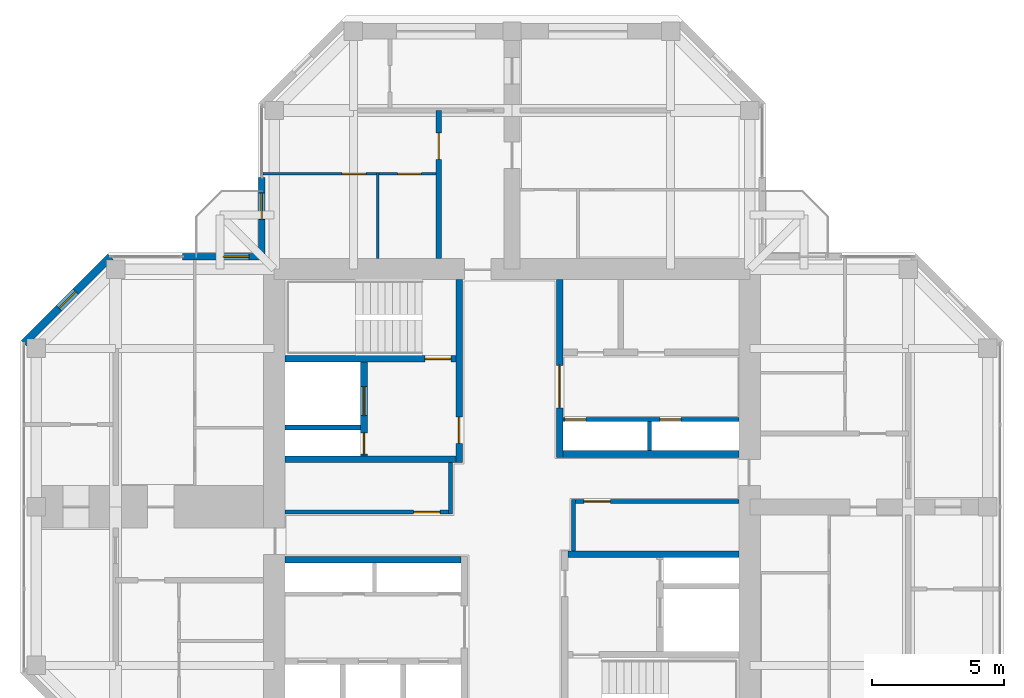
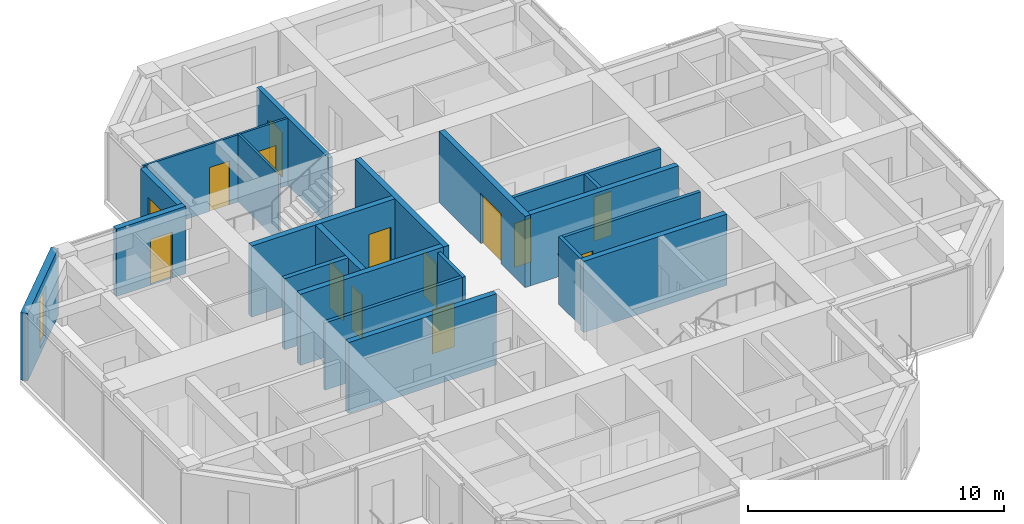
# One storey, part 10 of 13: 21 walls, 14 doors, 1 window, 15 openings.
"""IFC4 building model written with IfcOpenShell, lengths in metres."""

from ifc_helpers import new_model, si_unit, direction, frame, frame_2d, origin, place, context, subcontext, project, spatial, rectangle, hollow_rectangle, extrude, material, layer, layer_set, constituent, constituent_set, type_object, element, fill, save


model = new_model("IFC4")

# Units and contexts
model_context = context("Model", 3, precision=1e-05, world=origin(), true_north=direction((0.0, 1.0)))
body_context = subcontext(model_context, "Body", "Model", "MODEL_VIEW")
ifc_project = project(units=[si_unit("LENGTHUNIT", "METRE"), si_unit("AREAUNIT", "SQUARE_METRE"), si_unit("VOLUMEUNIT", "CUBIC_METRE"), si_unit("PLANEANGLEUNIT", "RADIAN"), si_unit("MASSUNIT", "GRAM", prefix="KILO")], contexts=[model_context])

# Site, building, storey
site_placement = place(None, origin())
site = spatial("IfcSite", under=ifc_project, at=site_placement, CompositionType="ELEMENT")
building_placement = place(site_placement, origin())
building = spatial("IfcBuilding", under=site, at=building_placement, Name="Torre Cruceta", CompositionType="ELEMENT")
storey_placement = place(building_placement, frame((0.0, 0.0, 264.5)))
storey = spatial("IfcBuildingStorey", under=building, at=storey_placement, Name="L68", CompositionType="ELEMENT", Elevation=264.5)

# Wall
ifc_material_1 = material(Name="Water-resistant plasterboard on steel studs", Category="steel")
ifc_layer_1 = layer(ifc_material_1, 0.10009765625)
ifc_layer_set_1 = layer_set([ifc_layer_1], Name="Water-resistant plasterboard on steel studs")
wall_type_1 = type_object("IfcWallType", Name="BATHROOM WALL 100", PredefinedType="PARTITIONING", material=ifc_layer_set_1)
wall_1_placement = place(storey_placement, frame((-5.074951171875, 9.39990234375, 0.0), z_axis=(0.0, 0.0, 1.0), x_axis=(0.0, 1.0, 0.0)))
element("IfcWall", 1, at=wall_1_placement, inside=storey, type_object=wall_type_1, Name="PT4 L68-N-U1LBB", PredefinedType="PARTITIONING", context=body_context, shape_type="SweptSolid", body=[
    extrude(rectangle(XDim=3.25, YDim=0.10009765625, at=frame_2d((1.625, 0.0))), origin(), (0.0, 0.0, 1.0), 3.219970703125),
])

# Wall, openings, doors
wall_2_placement = place(storey_placement, frame((-2.875, 12.60009765625, 0.0), z_axis=(0.0, 0.0, 1.0), x_axis=(-1.0, 0.0, 0.0)))
wall_2 = element("IfcWall", 2, at=wall_2_placement, inside=storey, type_object=wall_type_1, Name="PT4 L68-N-U1LBS", PredefinedType="PARTITIONING", context=body_context, shape_type="SweptSolid", body=[
    extrude(rectangle(XDim=6.554931640625, YDim=0.10009765625, at=frame_2d((3.27734375, 0.0))), origin(), (0.0, 0.0, 1.0), 3.219970703125),
])
opening_1_placement = place(wall_2_placement, frame((0.550048828125, 0.0, 0.0)))
opening_1 = element("IfcOpeningElement", 3, at=opening_1_placement, cuts=wall_2, Name="Opening D7", PredefinedType="OPENING", context=body_context, shape_type="SweptSolid", body=[
    extrude(rectangle(XDim=0.89990234375, YDim=2.10009765625, at=frame_2d((0.449951171875, 1.050048828125))), frame((0.0, 0.06005859375, 0.0), z_axis=(0.0, -1.0, 0.0), x_axis=(1.0, 0.0, 0.0)), (0.0, 0.0, 1.0), 0.1201171875),
])
opening_2_placement = place(wall_2_placement, frame((2.64990234375, 0.0, 0.0)))
opening_2 = element("IfcOpeningElement", 4, at=opening_2_placement, cuts=wall_2, Name="Opening D7", PredefinedType="OPENING", context=body_context, shape_type="SweptSolid", body=[
    extrude(rectangle(XDim=0.89990234375, YDim=2.10009765625, at=frame_2d((0.449951171875, 1.050048828125))), frame((0.0, 0.06005859375, 0.0), z_axis=(0.0, -1.0, 0.0), x_axis=(1.0, 0.0, 0.0)), (0.0, 0.0, 1.0), 0.1201171875),
])
ifc_material_2 = material(Name="Timber door", Category="wood")
door_type_1 = type_object("IfcDoorType", Name="BATHROOM DOOR 900X2100", OperationType="SINGLE_SWING_LEFT", PredefinedType="DOOR", material=ifc_material_2)
door_1_placement = place(opening_1_placement, origin())
door_1 = element("IfcDoor", 5, at=door_1_placement, inside=storey, type_object=door_type_1, Name="D7 L68-N-U1LBS-D1", OperationType="SINGLE_SWING_LEFT", OverallHeight=2.10009765625, OverallWidth=0.89990234375, PredefinedType="DOOR", context=body_context, shape_type="SweptSolid", body=[
    extrude(rectangle(XDim=0.89990234375, YDim=2.10009765625, at=frame_2d((0.449951171875, 1.050048828125))), frame((0.0, 0.02490234375, 0.0), z_axis=(0.0, -1.0, 0.0), x_axis=(1.0, 0.0, 0.0)), (0.0, 0.0, 1.0), 0.050048828125),
])
fill(opening_1, door_1)
door_2_placement = place(opening_2_placement, origin())
door_2 = element("IfcDoor", 6, at=door_2_placement, inside=storey, type_object=door_type_1, Name="D7 L68-N-U1LBS-D2", OperationType="SINGLE_SWING_LEFT", OverallHeight=2.10009765625, OverallWidth=0.89990234375, PredefinedType="DOOR", context=body_context, shape_type="SweptSolid", body=[
    extrude(rectangle(XDim=0.89990234375, YDim=2.10009765625, at=frame_2d((0.449951171875, 1.050048828125))), frame((0.0, 0.02490234375, 0.0), z_axis=(0.0, -1.0, 0.0), x_axis=(1.0, 0.0, 0.0)), (0.0, 0.0, 1.0), 0.050048828125),
])
fill(opening_2, door_2)

# Wall, opening, door
ifc_material_3 = material(Name="Concrete G60 (fck 60 MPa)", Category="concrete")
ifc_layer_2 = layer(ifc_material_3, 0.25)
ifc_layer_set_2 = layer_set([ifc_layer_2], Name="Concrete G60 (fck 60 MPa)")
wall_type_2 = type_object("IfcWallType", Name="CORE INNER WALL 250 G60", PredefinedType="SHEAR", material=ifc_layer_set_2)
wall_3_placement = place(storey_placement, frame((1.800048828125, 1.875, 0.0), z_axis=(0.0, 0.0, 1.0), x_axis=(0.0, 1.0, 0.0)))
wall_3 = element("IfcWall", 7, at=wall_3_placement, inside=storey, type_object=wall_type_2, Name="CW4 L68 NE-CU", PredefinedType="SHEAR", context=body_context, shape_type="SweptSolid", body=[
    extrude(rectangle(XDim=6.72509765625, YDim=0.25, at=frame_2d((3.362548828125, 0.0))), origin(), (0.0, 0.0, 1.0), 3.39990234375),
])
opening_3_placement = place(wall_3_placement, frame((1.875, 0.0, 0.0)))
opening_3 = element("IfcOpeningElement", 8, at=opening_3_placement, cuts=wall_3, Name="Opening D15", PredefinedType="OPENING", context=body_context, shape_type="SweptSolid", body=[
    extrude(rectangle(XDim=1.60009765625, YDim=2.39990234375, at=frame_2d((0.800048828125, 1.199951171875))), frame((0.0, 0.135009765625, 0.0), z_axis=(0.0, -1.0, 0.0), x_axis=(1.0, 0.0, 0.0)), (0.0, 0.0, 1.0), 0.27001953125),
])
ifc_material_4 = material(Name="Steel DX51D", Category="steel")
ifc_constituent_1 = constituent(ifc_material_4, Name="Leaf and frame")
ifc_material_5 = material(Name="Polyester powder coating", Category="paint")
ifc_constituent_2 = constituent(ifc_material_5, Name="Finish")
ifc_constituent_set_1 = constituent_set(constituents=[ifc_constituent_1, ifc_constituent_2], Name="Steel fire door")
door_type_2 = type_object("IfcDoorType", Name="CORE ROOM DOUBLE DOOR 1600X2400", OperationType="DOUBLE_DOOR_SINGLE_SWING", PredefinedType="DOOR", material=ifc_constituent_set_1)
door_3_placement = place(opening_3_placement, frame((1.60009765625, 0.0, 0.0), z_axis=(0.0, 0.0, 1.0), x_axis=(-1.0, 0.0, 0.0)))
door_3 = element("IfcDoor", 9, at=door_3_placement, inside=storey, type_object=door_type_2, Name="D15 L68 NE-LOBBY", OperationType="DOUBLE_DOOR_SINGLE_SWING", OverallHeight=2.39990234375, OverallWidth=1.60009765625, PredefinedType="DOOR", context=body_context, shape_type="SweptSolid", body=[
    extrude(rectangle(XDim=1.60009765625, YDim=2.39990234375, at=frame_2d((0.800048828125, 1.199951171875))), frame((0.0, 0.025146484375, 0.0), z_axis=(0.0, -1.0, 0.0), x_axis=(1.0, 0.0, 0.0)), (0.0, 0.0, 1.0), 0.050048828125),
])
fill(opening_3, door_3)

# Wall
wall_4_placement = place(storey_placement, frame((1.925048828125, 2.0, 0.0), z_axis=(0.0, 0.0, 1.0), x_axis=(1.0, 0.0, 0.0)))
element("IfcWall", 10, at=wall_4_placement, inside=storey, type_object=wall_type_2, Name="CW4 L68 NE-CV", PredefinedType="SHEAR", context=body_context, shape_type="SweptSolid", body=[
    extrude(rectangle(XDim=6.675048828125, YDim=0.25, at=frame_2d((3.33740234375, 0.0))), origin(), (0.0, 0.0, 1.0), 3.39990234375),
])

# Wall, opening, door
wall_5_placement = place(storey_placement, frame((-2.0, 1.675048828125, 0.0), z_axis=(0.0, 0.0, 1.0), x_axis=(0.0, 1.0, 0.0)))
wall_5 = element("IfcWall", 11, at=wall_5_placement, inside=storey, type_object=wall_type_2, Name="CW4 L68 NW-CU", PredefinedType="SHEAR", context=body_context, shape_type="SweptSolid", body=[
    extrude(rectangle(XDim=6.925048828125, YDim=0.25, at=frame_2d((3.46240234375, 0.0))), origin(), (0.0, 0.0, 1.0), 3.39990234375),
])
opening_4_placement = place(wall_5_placement, frame((0.72509765625, 0.0, 0.0)))
opening_4 = element("IfcOpeningElement", 12, at=opening_4_placement, cuts=wall_5, Name="Opening D3", PredefinedType="OPENING", context=body_context, shape_type="SweptSolid", body=[
    extrude(rectangle(XDim=1.0, YDim=2.10009765625, at=frame_2d((0.5, 1.050048828125))), frame((0.0, 0.135009765625, 0.0), z_axis=(0.0, -1.0, 0.0), x_axis=(1.0, 0.0, 0.0)), (0.0, 0.0, 1.0), 0.27001953125),
])
ifc_material_6 = material(Name="Steel DX51D", Category="steel")
ifc_constituent_3 = constituent(ifc_material_6, Name="Leaf and frame")
ifc_material_7 = material(Name="Polyester powder coating", Category="paint")
ifc_constituent_4 = constituent(ifc_material_7, Name="Finish")
ifc_constituent_set_2 = constituent_set(constituents=[ifc_constituent_3, ifc_constituent_4], Name="Steel fire door")
door_type_3 = type_object("IfcDoorType", Name="FIRE DOOR 1000X2100", OperationType="SINGLE_SWING_LEFT", PredefinedType="DOOR", material=ifc_constituent_set_2)
door_4_placement = place(opening_4_placement, origin())
door_4 = element("IfcDoor", 13, at=door_4_placement, inside=storey, type_object=door_type_3, Name="D3 L68 NW-LOBBY", OperationType="SINGLE_SWING_LEFT", OverallHeight=2.10009765625, OverallWidth=1.0, PredefinedType="DOOR", context=body_context, shape_type="SweptSolid", body=[
    extrude(rectangle(XDim=1.0, YDim=2.10009765625, at=frame_2d((0.5, 1.050048828125))), frame((0.0, 0.02490234375, 0.0), z_axis=(0.0, -1.0, 0.0), x_axis=(1.0, 0.0, 0.0)), (0.0, 0.0, 1.0), 0.050048828125),
])
fill(opening_4, door_4)

# Wall
wall_6_placement = place(storey_placement, frame((-2.125, 1.800048828125, 0.0), z_axis=(0.0, 0.0, 1.0), x_axis=(-1.0, 0.0, 0.0)))
element("IfcWall", 14, at=wall_6_placement, inside=storey, type_object=wall_type_2, Name="CW4 L68 NW-CV", PredefinedType="SHEAR", context=body_context, shape_type="SweptSolid", body=[
    extrude(rectangle(XDim=6.47509765625, YDim=0.25, at=frame_2d((3.237548828125, 0.0))), origin(), (0.0, 0.0, 1.0), 3.39990234375),
])

# Wall, opening, door
wall_7_placement = place(storey_placement, frame((-2.125, 5.60009765625, 0.0), z_axis=(0.0, 0.0, 1.0), x_axis=(-1.0, 0.0, 0.0)))
wall_7 = element("IfcWall", 15, at=wall_7_placement, inside=storey, type_object=wall_type_2, Name="CW4 L68 NW-SV", PredefinedType="SHEAR", context=body_context, shape_type="SweptSolid", body=[
    extrude(rectangle(XDim=6.47509765625, YDim=0.25, at=frame_2d((3.237548828125, 0.0))), origin(), (0.0, 0.0, 1.0), 3.39990234375),
])
opening_5_placement = place(wall_7_placement, frame((0.175048828125, 0.0, 0.0)))
opening_5 = element("IfcOpeningElement", 16, at=opening_5_placement, cuts=wall_7, Name="Opening D3", PredefinedType="OPENING", context=body_context, shape_type="SweptSolid", body=[
    extrude(rectangle(XDim=1.0, YDim=2.10009765625, at=frame_2d((0.5, 1.050048828125))), frame((0.0, 0.135009765625, 0.0), z_axis=(0.0, -1.0, 0.0), x_axis=(1.0, 0.0, 0.0)), (0.0, 0.0, 1.0), 0.27001953125),
])
door_5_placement = place(opening_5_placement, frame((1.0, 0.0, 0.0), z_axis=(0.0, 0.0, 1.0), x_axis=(-1.0, 0.0, 0.0)))
door_5 = element("IfcDoor", 17, at=door_5_placement, inside=storey, type_object=door_type_3, Name="D3 L68 NW-STAIR", OperationType="SINGLE_SWING_RIGHT", OverallHeight=2.10009765625, OverallWidth=1.0, PredefinedType="DOOR", context=body_context, shape_type="SweptSolid", body=[
    extrude(rectangle(XDim=1.0, YDim=2.10009765625, at=frame_2d((0.5, 1.050048828125))), frame((0.0, 0.025146484375, 0.0), z_axis=(0.0, -1.0, 0.0), x_axis=(1.0, 0.0, 0.0)), (0.0, 0.0, 1.0), 0.050048828125),
])
fill(opening_5, door_5)

# Wall, openings, doors
wall_8_placement = place(storey_placement, frame((-5.60009765625, 1.925048828125, 0.0), z_axis=(0.0, 0.0, 1.0), x_axis=(0.0, 1.0, 0.0)))
wall_8 = element("IfcWall", 18, at=wall_8_placement, inside=storey, type_object=wall_type_2, Name="CW4 L68 NW-FU", PredefinedType="SHEAR", context=body_context, shape_type="SweptSolid", body=[
    extrude(rectangle(XDim=3.550048828125, YDim=0.25, at=frame_2d((1.77490234375, 0.0))), origin(), (0.0, 0.0, 1.0), 3.39990234375),
])
opening_6_placement = place(wall_8_placement, frame((1.52490234375, 0.0, 0.0)))
opening_6 = element("IfcOpeningElement", 19, at=opening_6_placement, cuts=wall_8, Name="Opening LD1", PredefinedType="OPENING", context=body_context, shape_type="SweptSolid", body=[
    extrude(rectangle(XDim=1.10009765625, YDim=2.199951171875, at=frame_2d((0.550048828125, 1.10009765625))), frame((0.0, 0.135009765625, 0.0), z_axis=(0.0, -1.0, 0.0), x_axis=(1.0, 0.0, 0.0)), (0.0, 0.0, 1.0), 0.27001953125),
])
opening_7_placement = place(wall_8_placement, frame((0.074951171875, 0.0, 0.0)))
opening_7 = element("IfcOpeningElement", 20, at=opening_7_placement, cuts=wall_8, Name="Opening D5", PredefinedType="OPENING", context=body_context, shape_type="SweptSolid", body=[
    extrude(rectangle(XDim=0.800048828125, YDim=2.10009765625, at=frame_2d((0.39990234375, 1.050048828125))), frame((0.0, 0.135009765625, 0.0), z_axis=(0.0, -1.0, 0.0), x_axis=(1.0, 0.0, 0.0)), (0.0, 0.0, 1.0), 0.27001953125),
])
ifc_material_8 = material(Name="Stainless steel 1.4401", Category="steel")
door_type_4 = type_object("IfcDoorType", Name="LIFT LANDING DOOR 1100X2200", OperationType="DOUBLE_DOOR_SLIDING", PredefinedType="DOOR", material=ifc_material_8)
door_6_placement = place(opening_6_placement, origin())
door_6 = element("IfcDoor", 21, at=door_6_placement, inside=storey, type_object=door_type_4, Name="Lift landing door FL1", OperationType="DOUBLE_DOOR_SLIDING", OverallHeight=2.199951171875, OverallWidth=1.10009765625, PredefinedType="DOOR", context=body_context, shape_type="SweptSolid", body=[
    extrude(rectangle(XDim=1.10009765625, YDim=2.199951171875, at=frame_2d((0.550048828125, 1.10009765625))), frame((0.0, 0.02490234375, 0.0), z_axis=(0.0, -1.0, 0.0), x_axis=(1.0, 0.0, 0.0)), (0.0, 0.0, 1.0), 0.050048828125),
])
fill(opening_6, door_6)
ifc_material_9 = material(Name="Steel DX51D", Category="steel")
ifc_constituent_5 = constituent(ifc_material_9, Name="Leaf and frame")
ifc_material_10 = material(Name="Polyester powder coating", Category="paint")
ifc_constituent_6 = constituent(ifc_material_10, Name="Finish")
ifc_constituent_set_3 = constituent_set(constituents=[ifc_constituent_5, ifc_constituent_6], Name="Steel fire door")
door_type_5 = type_object("IfcDoorType", Name="RISER ACCESS DOOR 800X2100", OperationType="SINGLE_SWING_LEFT", PredefinedType="DOOR", material=ifc_constituent_set_3)
door_7_placement = place(opening_7_placement, origin())
door_7 = element("IfcDoor", 22, at=door_7_placement, inside=storey, type_object=door_type_5, Name="D5 L68 NW-RISER", OperationType="SINGLE_SWING_LEFT", OverallHeight=2.10009765625, OverallWidth=0.800048828125, PredefinedType="DOOR", context=body_context, shape_type="SweptSolid", body=[
    extrude(rectangle(XDim=0.800048828125, YDim=2.10009765625, at=frame_2d((0.39990234375, 1.050048828125))), frame((0.0, 0.02490234375, 0.0), z_axis=(0.0, -1.0, 0.0), x_axis=(1.0, 0.0, 0.0)), (0.0, 0.0, 1.0), 0.050048828125),
])
fill(opening_7, door_7)

# Walls
wall_9_placement = place(storey_placement, frame((-1.925048828125, -2.0, 0.0), z_axis=(0.0, 0.0, 1.0), x_axis=(-1.0, 0.0, 0.0)))
element("IfcWall", 23, at=wall_9_placement, inside=storey, type_object=wall_type_2, Name="CW4 L68 SW-CV", PredefinedType="SHEAR", context=body_context, shape_type="SweptSolid", body=[
    extrude(rectangle(XDim=6.675048828125, YDim=0.25, at=frame_2d((3.33740234375, 0.0))), origin(), (0.0, 0.0, 1.0), 3.39990234375),
])
wall_10_placement = place(storey_placement, frame((2.125, -1.800048828125, 0.0), z_axis=(0.0, 0.0, 1.0), x_axis=(1.0, 0.0, 0.0)))
element("IfcWall", 24, at=wall_10_placement, inside=storey, type_object=wall_type_2, Name="CW4 L68 SE-CV", PredefinedType="SHEAR", context=body_context, shape_type="SweptSolid", body=[
    extrude(rectangle(XDim=6.47509765625, YDim=0.25, at=frame_2d((3.237548828125, 0.0))), origin(), (0.0, 0.0, 1.0), 3.39990234375),
])

# Wall, opening, door
ifc_material_11 = material(Name="Concrete G25 (fck 25 MPa)", Category="concrete")
ifc_layer_3 = layer(ifc_material_11, 0.199951171875)
ifc_layer_set_3 = layer_set([ifc_layer_3], Name="Concrete G25 (fck 25 MPa)")
wall_type_3 = type_object("IfcWallType", Name="CORRIDOR WALL 200", PredefinedType="SOLIDWALL", material=ifc_layer_set_3)
wall_11_placement = place(storey_placement, frame((-2.77490234375, 9.39990234375, 0.0), z_axis=(0.0, 0.0, 1.0), x_axis=(0.0, 1.0, 0.0)))
wall_11 = element("IfcWall", 25, at=wall_11_placement, inside=storey, type_object=wall_type_3, Name="PT3 L68-N-CL", PredefinedType="SOLIDWALL", context=body_context, shape_type="SweptSolid", body=[
    extrude(rectangle(XDim=5.60009765625, YDim=0.199951171875, at=frame_2d((2.800048828125, 0.0))), origin(), (0.0, 0.0, 1.0), 3.219970703125),
])
opening_8_placement = place(wall_11_placement, frame((3.75, 0.0, 0.0)))
opening_8 = element("IfcOpeningElement", 26, at=opening_8_placement, cuts=wall_11, Name="Opening D6", PredefinedType="OPENING", context=body_context, shape_type="SweptSolid", body=[
    extrude(rectangle(XDim=1.0, YDim=2.14990234375, at=frame_2d((0.5, 1.074951171875))), frame((0.0, 0.10986328125, 0.0), z_axis=(0.0, -1.0, 0.0), x_axis=(1.0, 0.0, 0.0)), (0.0, 0.0, 1.0), 0.219970703125),
])
ifc_material_12 = material(Name="Timber fire door", Category="wood")
door_type_6 = type_object("IfcDoorType", Name="UNIT ENTRANCE DOOR 1000X2150", OperationType="SINGLE_SWING_LEFT", PredefinedType="DOOR", material=ifc_material_12)
door_8_placement = place(opening_8_placement, origin())
door_8 = element("IfcDoor", 27, at=door_8_placement, inside=storey, type_object=door_type_6, Name="D6 L68-N-CL-D1", OperationType="SINGLE_SWING_LEFT", OverallHeight=2.14990234375, OverallWidth=1.0, PredefinedType="DOOR", context=body_context, shape_type="SweptSolid", body=[
    extrude(rectangle(XDim=1.0, YDim=2.14990234375, at=frame_2d((0.5, 1.074951171875))), frame((0.0, 0.02490234375, 0.0), z_axis=(0.0, -1.0, 0.0), x_axis=(1.0, 0.0, 0.0)), (0.0, 0.0, 1.0), 0.050048828125),
])
fill(opening_8, door_8)

# Wall, opening, window
ifc_material_13 = material(Name="Concrete G30 (fck 30 MPa)", Category="concrete")
ifc_layer_4 = layer(ifc_material_13, 0.300048828125)
ifc_layer_set_4 = layer_set([ifc_layer_4], Name="Concrete G30 (fck 30 MPa)")
wall_type_4 = type_object("IfcWallType", Name="EXPOSED CONCRETE FACADE WALL 300", PredefinedType="SOLIDWALL", material=ifc_layer_set_4)
wall_12_placement = place(storey_placement, frame((-15.194580078125, 9.469970703125, 0.0), z_axis=(0.0, 0.0, 1.0), x_axis=(-0.707106781187, -0.707106781187, 0.0)))
wall_12 = element("IfcWall", 28, at=wall_12_placement, inside=storey, type_object=wall_type_4, Name="EW1 facade wall L68 W chamfer 11", PredefinedType="SOLIDWALL", context=body_context, shape_type="SweptSolid", body=[
    extrude(rectangle(XDim=4.632080078125, YDim=0.300048828125, at=frame_2d((2.31591796875, 0.0))), origin(), (0.0, 0.0, 1.0), 3.219970703125),
])
opening_9_placement = place(wall_12_placement, frame((1.865966796875, 0.0, 0.300048828125)))
opening_9 = element("IfcOpeningElement", 29, at=opening_9_placement, cuts=wall_12, Name="Opening WN5", PredefinedType="OPENING", context=body_context, shape_type="SweptSolid", body=[
    extrude(rectangle(XDim=0.89990234375, YDim=2.39990234375, at=frame_2d((0.449951171875, 1.199951171875))), frame((0.0, 0.159912109375, 0.0), z_axis=(0.0, -1.0, 0.0), x_axis=(1.0, 0.0, 0.0)), (0.0, 0.0, 1.0), 0.320068359375),
])
ifc_material_14 = material(Name="Aluminium window frame", Category="aluminium")
ifc_constituent_7 = constituent(ifc_material_14, Name="Frame")
ifc_material_15 = material(Name="Laminated insulating glass unit, low-iron clear", Category="glass")
ifc_constituent_8 = constituent(ifc_material_15, Name="Glazing")
ifc_constituent_set_4 = constituent_set(constituents=[ifc_constituent_7, ifc_constituent_8], Name="Aluminium window")
window_type = type_object("IfcWindowType", Name="CHAMFER SLOT WINDOW 900X2400", PartitioningType="SINGLE_PANEL", PredefinedType="WINDOW", material=ifc_constituent_set_4)
window_placement = place(opening_9_placement, origin())
window = element("IfcWindow", 30, at=window_placement, inside=storey, type_object=window_type, Name="WN5 L68 W 1", OverallHeight=2.39990234375, OverallWidth=0.89990234375, PartitioningType="SINGLE_PANEL", PredefinedType="WINDOW", context=body_context, shape_type="SweptSolid", body=[
    extrude(hollow_rectangle(XDim=0.89990234375, YDim=2.39990234375, WallThickness=0.06005859375, at=frame_2d((0.449951171875, 1.199951171875))), frame((0.0, 0.030029296875, 0.0), z_axis=(0.0, -1.0, 0.0), x_axis=(1.0, 0.0, 0.0)), (0.0, 0.0, 1.0), 0.06005859375),
    extrude(rectangle(XDim=0.77880859375, YDim=2.27880859375, at=frame_2d((0.449951171875, 1.199951171875))), frame((0.0, 0.030029296875, 0.0), z_axis=(0.0, -1.0, 0.0), x_axis=(1.0, 0.0, 0.0)), (0.0, 0.0, 1.0), 0.06005859375),
])
fill(opening_9, window)

# Wall
ifc_material_16 = material(Name="Concrete G35 (fck 35 MPa)", Category="concrete")
ifc_layer_5 = layer(ifc_material_16, 0.199951171875)
ifc_layer_set_5 = layer_set([ifc_layer_5], Name="Concrete G35 (fck 35 MPa)")
wall_type_5 = type_object("IfcWallType", Name="LIFT SHAFT WALL 200", PredefinedType="PARTITIONING", material=ifc_layer_set_5)
wall_13_placement = place(storey_placement, frame((-5.72509765625, 3.0, 0.0), z_axis=(0.0, 0.0, 1.0), x_axis=(-1.0, 0.0, 0.0)))
element("IfcWall", 31, at=wall_13_placement, inside=storey, type_object=wall_type_5, Name="SW1 L68 NW-FR", PredefinedType="PARTITIONING", context=body_context, shape_type="SweptSolid", body=[
    extrude(rectangle(XDim=2.875, YDim=0.199951171875, at=frame_2d((1.4375, 0.0))), origin(), (0.0, 0.0, 1.0), 3.39990234375),
])

# Wall, opening, door
ifc_material_17 = material(Name="Plasterboard on steel studs", Category="steel")
ifc_layer_6 = layer(ifc_material_17, 0.14990234375)
ifc_layer_set_6 = layer_set([ifc_layer_6], Name="Plasterboard on steel studs")
wall_type_6 = type_object("IfcWallType", Name="PARTITION 150", PredefinedType="PARTITIONING", material=ifc_layer_set_6)
wall_14_placement = place(storey_placement, frame((2.324951171875, 0.199951171875, 0.0), z_axis=(0.0, 0.0, 1.0), x_axis=(1.0, 0.0, 0.0)))
wall_14 = element("IfcWall", 32, at=wall_14_placement, inside=storey, type_object=wall_type_6, Name="PT1 L68-CORE-LEGE-S-W1", PredefinedType="PARTITIONING", context=body_context, shape_type="SweptSolid", body=[
    extrude(rectangle(XDim=6.275146484375, YDim=0.14990234375, at=frame_2d((3.1376953125, 0.0))), origin(), (0.0, 0.0, 1.0), 3.219970703125),
])
opening_10_placement = place(wall_14_placement, frame((0.39990234375, 0.0, 0.0)))
opening_10 = element("IfcOpeningElement", 33, at=opening_10_placement, cuts=wall_14, Name="Opening D3", PredefinedType="OPENING", context=body_context, shape_type="SweptSolid", body=[
    extrude(rectangle(XDim=1.0, YDim=2.10009765625, at=frame_2d((0.5, 1.050048828125))), frame((0.0, 0.0849609375, 0.0), z_axis=(0.0, -1.0, 0.0), x_axis=(1.0, 0.0, 0.0)), (0.0, 0.0, 1.0), 0.169921875),
])
door_9_placement = place(opening_10_placement, frame((1.0, 0.0, 0.0), z_axis=(0.0, 0.0, 1.0), x_axis=(-1.0, 0.0, 0.0)))
door_9 = element("IfcDoor", 34, at=door_9_placement, inside=storey, type_object=door_type_3, Name="D3 L68-CORE-LEGE-S-W1-D1", OperationType="SINGLE_SWING_RIGHT", OverallHeight=2.10009765625, OverallWidth=1.0, PredefinedType="DOOR", context=body_context, shape_type="SweptSolid", body=[
    extrude(rectangle(XDim=1.0, YDim=2.10009765625, at=frame_2d((0.5, 1.050048828125))), frame((0.0, 0.025146484375, 0.0), z_axis=(0.0, -1.0, 0.0), x_axis=(1.0, 0.0, 0.0)), (0.0, 0.0, 1.0), 0.050048828125),
])
fill(opening_10, door_9)

# Wall
wall_15_placement = place(storey_placement, frame((2.324951171875, -1.675048828125, 0.0), z_axis=(0.0, 0.0, 1.0), x_axis=(0.0, 1.0, 0.0)))
element("IfcWall", 35, at=wall_15_placement, inside=storey, type_object=wall_type_6, Name="PT1 L68-CORE-LEGE-S-W2", PredefinedType="PARTITIONING", context=body_context, shape_type="SweptSolid", body=[
    extrude(rectangle(XDim=1.949951171875, YDim=0.14990234375, at=frame_2d((0.97509765625, 0.0))), origin(), (0.0, 0.0, 1.0), 3.219970703125),
])

# Wall, opening, door
wall_16_placement = place(storey_placement, frame((-2.324951171875, -0.199951171875, 0.0), z_axis=(0.0, 0.0, 1.0), x_axis=(-1.0, 0.0, 0.0)))
wall_16 = element("IfcWall", 36, at=wall_16_placement, inside=storey, type_object=wall_type_6, Name="PT1 L68-CORE-LEGW-N-W1", PredefinedType="PARTITIONING", context=body_context, shape_type="SweptSolid", body=[
    extrude(rectangle(XDim=6.275146484375, YDim=0.14990234375, at=frame_2d((3.1376953125, 0.0))), origin(), (0.0, 0.0, 1.0), 3.219970703125),
])
opening_11_placement = place(wall_16_placement, frame((0.39990234375, 0.0, 0.0)))
opening_11 = element("IfcOpeningElement", 37, at=opening_11_placement, cuts=wall_16, Name="Opening D3", PredefinedType="OPENING", context=body_context, shape_type="SweptSolid", body=[
    extrude(rectangle(XDim=1.0, YDim=2.10009765625, at=frame_2d((0.5, 1.050048828125))), frame((0.0, 0.0849609375, 0.0), z_axis=(0.0, -1.0, 0.0), x_axis=(1.0, 0.0, 0.0)), (0.0, 0.0, 1.0), 0.169921875),
])
door_10_placement = place(opening_11_placement, frame((1.0, 0.0, 0.0), z_axis=(0.0, 0.0, 1.0), x_axis=(-1.0, 0.0, 0.0)))
door_10 = element("IfcDoor", 38, at=door_10_placement, inside=storey, type_object=door_type_3, Name="D3 L68-CORE-LEGW-N-W1-D1", OperationType="SINGLE_SWING_RIGHT", OverallHeight=2.10009765625, OverallWidth=1.0, PredefinedType="DOOR", context=body_context, shape_type="SweptSolid", body=[
    extrude(rectangle(XDim=1.0, YDim=2.10009765625, at=frame_2d((0.5, 1.050048828125))), frame((0.0, 0.025146484375, 0.0), z_axis=(0.0, -1.0, 0.0), x_axis=(1.0, 0.0, 0.0)), (0.0, 0.0, 1.0), 0.050048828125),
])
fill(opening_11, door_10)

# Wall
wall_17_placement = place(storey_placement, frame((-2.324951171875, 1.675048828125, 0.0), z_axis=(0.0, 0.0, 1.0), x_axis=(0.0, -1.0, 0.0)))
element("IfcWall", 39, at=wall_17_placement, inside=storey, type_object=wall_type_6, Name="PT1 L68-CORE-LEGW-N-W2", PredefinedType="PARTITIONING", context=body_context, shape_type="SweptSolid", body=[
    extrude(rectangle(XDim=1.949951171875, YDim=0.14990234375, at=frame_2d((0.97509765625, 0.0))), origin(), (0.0, 0.0, 1.0), 3.219970703125),
])

# Wall, openings, doors
ifc_material_18 = material(Name="Concrete block masonry", Category="masonry")
ifc_layer_7 = layer(ifc_material_18, 0.14990234375)
ifc_layer_set_7 = layer_set([ifc_layer_7], Name="Concrete block masonry")
wall_type_7 = type_object("IfcWallType", Name="RISER WALL 150", PredefinedType="PARTITIONING", material=ifc_layer_set_7)
wall_18_placement = place(storey_placement, frame((1.925048828125, 3.300048828125, 0.0), z_axis=(0.0, 0.0, 1.0), x_axis=(1.0, 0.0, 0.0)))
wall_18 = element("IfcWall", 40, at=wall_18_placement, inside=storey, type_object=wall_type_7, Name="SW7 L68 NE-RV", PredefinedType="PARTITIONING", context=body_context, shape_type="SweptSolid", body=[
    extrude(rectangle(XDim=6.675048828125, YDim=0.14990234375, at=frame_2d((3.33740234375, 0.0))), origin(), (0.0, 0.0, 1.0), 3.39990234375),
])
opening_12_placement = place(wall_18_placement, frame((0.074951171875, 0.0, 0.0)))
opening_12 = element("IfcOpeningElement", 41, at=opening_12_placement, cuts=wall_18, Name="Opening D5", PredefinedType="OPENING", context=body_context, shape_type="SweptSolid", body=[
    extrude(rectangle(XDim=0.800048828125, YDim=2.10009765625, at=frame_2d((0.39990234375, 1.050048828125))), frame((0.0, 0.0849609375, 0.0), z_axis=(0.0, -1.0, 0.0), x_axis=(1.0, 0.0, 0.0)), (0.0, 0.0, 1.0), 0.169921875),
])
opening_13_placement = place(wall_18_placement, frame((3.675048828125, 0.0, 0.0)))
opening_13 = element("IfcOpeningElement", 42, at=opening_13_placement, cuts=wall_18, Name="Opening D5", PredefinedType="OPENING", context=body_context, shape_type="SweptSolid", body=[
    extrude(rectangle(XDim=0.800048828125, YDim=2.10009765625, at=frame_2d((0.39990234375, 1.050048828125))), frame((0.0, 0.0849609375, 0.0), z_axis=(0.0, -1.0, 0.0), x_axis=(1.0, 0.0, 0.0)), (0.0, 0.0, 1.0), 0.169921875),
])
door_11_placement = place(opening_12_placement, frame((0.800048828125, 0.0, 0.0), z_axis=(0.0, 0.0, 1.0), x_axis=(-1.0, 0.0, 0.0)))
door_11 = element("IfcDoor", 43, at=door_11_placement, inside=storey, type_object=door_type_5, Name="D5 L68 NE-RISER1", OperationType="SINGLE_SWING_RIGHT", OverallHeight=2.10009765625, OverallWidth=0.800048828125, PredefinedType="DOOR", context=body_context, shape_type="SweptSolid", body=[
    extrude(rectangle(XDim=0.800048828125, YDim=2.10009765625, at=frame_2d((0.400146484375, 1.050048828125))), frame((0.0, 0.025146484375, 0.0), z_axis=(0.0, -1.0, 0.0), x_axis=(1.0, 0.0, 0.0)), (0.0, 0.0, 1.0), 0.050048828125),
])
fill(opening_12, door_11)
door_12_placement = place(opening_13_placement, frame((0.800048828125, 0.0, 0.0), z_axis=(0.0, 0.0, 1.0), x_axis=(-1.0, 0.0, 0.0)))
door_12 = element("IfcDoor", 44, at=door_12_placement, inside=storey, type_object=door_type_5, Name="D5 L68 NE-RISER2", OperationType="SINGLE_SWING_RIGHT", OverallHeight=2.10009765625, OverallWidth=0.800048828125, PredefinedType="DOOR", context=body_context, shape_type="SweptSolid", body=[
    extrude(rectangle(XDim=0.800048828125, YDim=2.10009765625, at=frame_2d((0.400146484375, 1.050048828125))), frame((0.0, 0.025146484375, 0.0), z_axis=(0.0, -1.0, 0.0), x_axis=(1.0, 0.0, 0.0)), (0.0, 0.0, 1.0), 0.050048828125),
])
fill(opening_13, door_12)

# Wall
wall_19_placement = place(storey_placement, frame((5.199951171875, 2.125, 0.0), z_axis=(0.0, 0.0, 1.0), x_axis=(0.0, 1.0, 0.0)))
element("IfcWall", 45, at=wall_19_placement, inside=storey, type_object=wall_type_7, Name="SW7 L68 NE-RU", PredefinedType="PARTITIONING", context=body_context, shape_type="SweptSolid", body=[
    extrude(rectangle(XDim=1.10009765625, YDim=0.14990234375, at=frame_2d((0.550048828125, 0.0))), origin(), (0.0, 0.0, 1.0), 3.39990234375),
])

# Wall, opening, door
ifc_material_19 = material(Name="Concrete G30 (fck 30 MPa)", Category="concrete")
ifc_layer_8 = layer(ifc_material_19, 0.25)
ifc_layer_set_8 = layer_set([ifc_layer_8], Name="Concrete G30 (fck 30 MPa)")
wall_type_8 = type_object("IfcWallType", Name="WINTER GARDEN WALL 250", PredefinedType="SOLIDWALL", material=ifc_layer_set_8)
wall_20_placement = place(storey_placement, frame((-9.469970703125, 12.469970703125, 0.0), z_axis=(0.0, 0.0, 1.0), x_axis=(0.0, -1.0, 0.0)))
wall_20 = element("IfcWall", 46, at=wall_20_placement, inside=storey, type_object=wall_type_8, Name="EW2 winter garden wall L68 09", PredefinedType="SOLIDWALL", context=body_context, shape_type="SweptSolid", body=[
    extrude(rectangle(XDim=2.875, YDim=0.25, at=frame_2d((1.4375, 0.0))), origin(), (0.0, 0.0, 1.0), 3.219970703125),
])
opening_14_placement = place(wall_20_placement, frame((0.60009765625, 0.0, 0.0)))
opening_14 = element("IfcOpeningElement", 47, at=opening_14_placement, cuts=wall_20, Name="Opening D10", PredefinedType="OPENING", context=body_context, shape_type="SweptSolid", body=[
    extrude(rectangle(XDim=1.0, YDim=2.199951171875, at=frame_2d((0.5, 1.10009765625))), frame((0.0, 0.135009765625, 0.0), z_axis=(0.0, -1.0, 0.0), x_axis=(1.0, 0.0, 0.0)), (0.0, 0.0, 1.0), 0.27001953125),
])
ifc_material_20 = material(Name="Aluminium door frame", Category="aluminium")
ifc_constituent_9 = constituent(ifc_material_20, Name="Frame")
ifc_material_21 = material(Name="Laminated safety glass", Category="glass")
ifc_constituent_10 = constituent(ifc_material_21, Name="Glazing")
ifc_constituent_set_5 = constituent_set(constituents=[ifc_constituent_9, ifc_constituent_10], Name="Aluminium glazed door")
door_type_7 = type_object("IfcDoorType", Name="BALCONY DOOR 1000X2200", OperationType="SINGLE_SWING_RIGHT", PredefinedType="DOOR", material=ifc_constituent_set_5)
door_13_placement = place(opening_14_placement, origin())
door_13 = element("IfcDoor", 48, at=door_13_placement, inside=storey, type_object=door_type_7, Name="D10 balcony door L68 09", OperationType="SINGLE_SWING_LEFT", OverallHeight=2.199951171875, OverallWidth=1.0, PredefinedType="DOOR", context=body_context, shape_type="SweptSolid", body=[
    extrude(hollow_rectangle(XDim=1.0, YDim=2.199951171875, WallThickness=0.06005859375, at=frame_2d((0.5, 1.10009765625))), frame((0.0, 0.02490234375, 0.0), z_axis=(0.0, -1.0, 0.0), x_axis=(1.0, 0.0, 0.0)), (0.0, 0.0, 1.0), 0.050048828125),
    extrude(rectangle(XDim=0.87890625, YDim=2.078857421875, at=frame_2d((0.5, 1.10009765625))), frame((0.0, 0.02490234375, 0.0), z_axis=(0.0, -1.0, 0.0), x_axis=(1.0, 0.0, 0.0)), (0.0, 0.0, 1.0), 0.050048828125),
])
fill(opening_14, door_13)

wall_21_placement = place(storey_placement, frame((-9.344970703125, 9.469970703125, 0.0), z_axis=(0.0, 0.0, 1.0), x_axis=(-1.0, 0.0, 0.0)))
wall_21 = element("IfcWall", 49, at=wall_21_placement, inside=storey, type_object=wall_type_8, Name="EW2 winter garden wall L68 10", PredefinedType="SOLIDWALL", context=body_context, shape_type="SweptSolid", body=[
    extrude(rectangle(XDim=3.125, YDim=0.25, at=frame_2d((1.5625, 0.0))), origin(), (0.0, 0.0, 1.0), 3.219970703125),
])
opening_15_placement = place(wall_21_placement, frame((0.60009765625, 0.0, 0.0)))
opening_15 = element("IfcOpeningElement", 50, at=opening_15_placement, cuts=wall_21, Name="Opening D10", PredefinedType="OPENING", context=body_context, shape_type="SweptSolid", body=[
    extrude(rectangle(XDim=1.0, YDim=2.199951171875, at=frame_2d((0.5, 1.10009765625))), frame((0.0, 0.135009765625, 0.0), z_axis=(0.0, -1.0, 0.0), x_axis=(1.0, 0.0, 0.0)), (0.0, 0.0, 1.0), 0.27001953125),
])
door_14_placement = place(opening_15_placement, origin())
door_14 = element("IfcDoor", 51, at=door_14_placement, inside=storey, type_object=door_type_7, Name="D10 balcony door L68 10", OperationType="SINGLE_SWING_LEFT", OverallHeight=2.199951171875, OverallWidth=1.0, PredefinedType="DOOR", context=body_context, shape_type="SweptSolid", body=[
    extrude(hollow_rectangle(XDim=1.0, YDim=2.199951171875, WallThickness=0.06005859375, at=frame_2d((0.5, 1.10009765625))), frame((0.0, 0.02490234375, 0.0), z_axis=(0.0, -1.0, 0.0), x_axis=(1.0, 0.0, 0.0)), (0.0, 0.0, 1.0), 0.050048828125),
    extrude(rectangle(XDim=0.87890625, YDim=2.078857421875, at=frame_2d((0.5, 1.10009765625))), frame((0.0, 0.02490234375, 0.0), z_axis=(0.0, -1.0, 0.0), x_axis=(1.0, 0.0, 0.0)), (0.0, 0.0, 1.0), 0.050048828125),
])
fill(opening_15, door_14)

save(model, "model.ifc")
